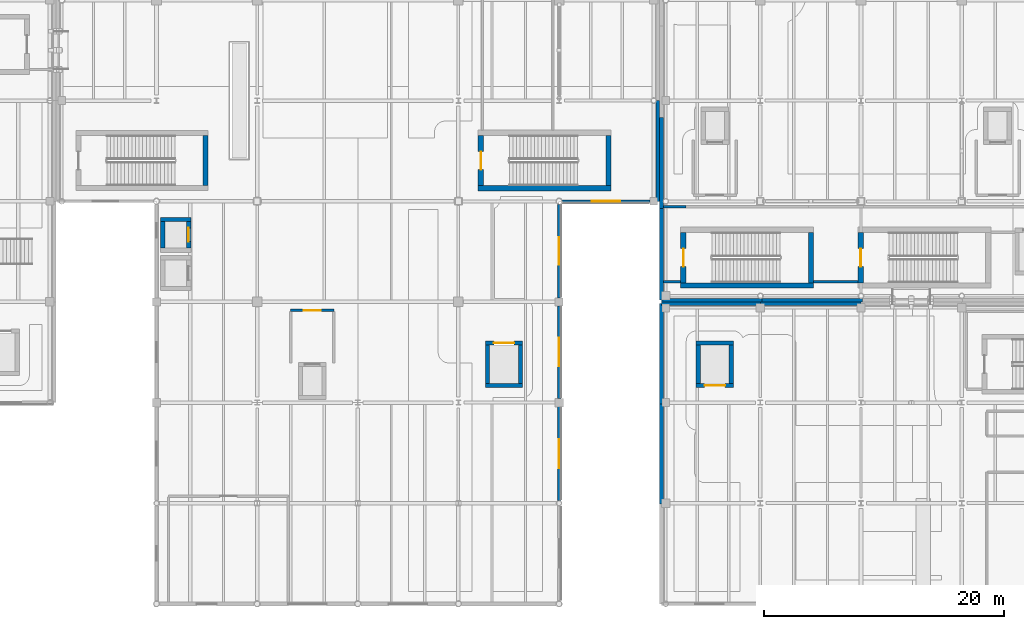
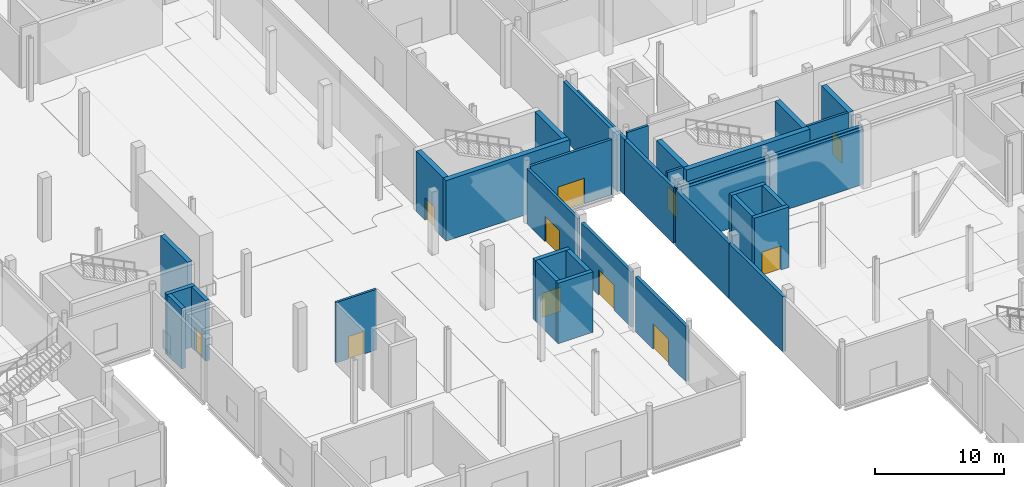
# One storey, part 46 of 85: 36 walls, 11 doors, 11 openings.
"""IFC4 building model written with IfcOpenShell, lengths in metres."""

from ifc_helpers import new_model, si_unit, direction, frame, frame_2d, origin, place, context, subcontext, project, spatial, rectangle, extrude, material, layer, layer_set, type_object, element, fill, save


model = new_model("IFC4")

# Units and contexts
model_context = context("Model", 3, precision=1e-05, world=origin(), true_north=direction((0.0, 1.0)))
body_context = subcontext(model_context, "Body", "Model", "MODEL_VIEW")
ifc_project = project(units=[si_unit("LENGTHUNIT", "METRE"), si_unit("AREAUNIT", "SQUARE_METRE"), si_unit("VOLUMEUNIT", "CUBIC_METRE"), si_unit("PLANEANGLEUNIT", "RADIAN"), si_unit("MASSUNIT", "GRAM", prefix="KILO"), si_unit("THERMODYNAMICTEMPERATUREUNIT", "KELVIN")], contexts=[model_context])

# Site, building, storey
site_placement = place(None, origin())
site = spatial("IfcSite", under=ifc_project, at=site_placement, CompositionType="ELEMENT")
building_placement = place(site_placement, origin())
building = spatial("IfcBuilding", under=site, at=building_placement, Name="Lustrewick Department Store", CompositionType="ELEMENT")
storey_placement = place(building_placement, origin())
storey = spatial("IfcBuildingStorey", under=building, at=storey_placement, Name="L01", CompositionType="ELEMENT", Elevation=0.0)

# Wall, opening, door
ifc_material_1 = material(Name="Precast concrete C40", Category="concrete")
ifc_layer_1 = layer(ifc_material_1, 0.239990234375, Name="Precast concrete C40")
ifc_layer_set_1 = layer_set([ifc_layer_1], Name="Precast concrete C40")
wall_type_1 = type_object("IfcWallType", Name="EW01", PredefinedType="STANDARD", material=ifc_layer_set_1)
wall_1_placement = place(storey_placement, frame((100.800048828125, 50.719970703125, 0.0), z_axis=(0.0, 0.0, 1.0), x_axis=(0.0, 1.0, 0.0)))
wall_1 = element("IfcWall", 1, at=wall_1_placement, inside=storey, type_object=wall_type_1, Name="L01 V2 Exterior Wall EW01", PredefinedType="STANDARD", context=body_context, shape_type="SweptSolid", body=[
    extrude(rectangle(XDim=7.8310546875, YDim=0.239990234375, at=frame_2d((3.91552734375, 0.0))), origin(), (0.0, 0.0, 1.0), 5.23095703125),
])
opening_1_placement = place(wall_1_placement, frame((2.765380859375, 0.0, 0.0)))
opening_1 = element("IfcOpeningElement", 2, at=opening_1_placement, cuts=wall_1, Name="Opening D-EX13", PredefinedType="OPENING", context=body_context, shape_type="SweptSolid", body=[
    extrude(rectangle(XDim=2.300048828125, YDim=2.39990234375, at=frame_2d((1.14990234375, 1.199951171875))), frame((0.0, 0.1298828125, 0.0), z_axis=(0.0, -1.0, 0.0), x_axis=(1.0, 0.0, 0.0)), (0.0, 0.0, 1.0), 0.260009765625),
])
ifc_material_2 = material(Name="Thermally broken glazed aluminium entrance door", Category="aluminium")
door_type_1 = type_object("IfcDoorType", Name="DT-01", OperationType="NOTDEFINED", PredefinedType="DOOR", material=ifc_material_2)
door_1_placement = place(opening_1_placement, frame((2.300048828125, 0.0, 0.0), z_axis=(0.0, 0.0, 1.0), x_axis=(-1.0, 0.0, 0.0)))
door_1 = element("IfcDoor", 3, at=door_1_placement, inside=storey, type_object=door_type_1, Name="L01 Pedestrian Final Exit Door D-EX13", OperationType="DOUBLE_DOOR_SINGLE_SWING", OverallHeight=2.39990234375, OverallWidth=2.300048828125, PredefinedType="DOOR", context=body_context, shape_type="SweptSolid", body=[
    extrude(rectangle(XDim=2.300048828125, YDim=2.39990234375, at=frame_2d((1.14990234375, 1.199951171875))), frame((0.0, 0.02490234375, 0.0), z_axis=(0.0, -1.0, 0.0), x_axis=(1.0, 0.0, 0.0)), (0.0, 0.0, 1.0), 0.050048828125),
])
fill(opening_1, door_1)

wall_2_placement = place(storey_placement, frame((101.049072265625, 58.800048828125, 0.0), z_axis=(0.0, 0.0, 1.0), x_axis=(1.0, 0.0, 0.0)))
wall_2 = element("IfcWall", 4, at=wall_2_placement, inside=storey, type_object=wall_type_1, Name="L01 V2 Exterior Wall EW01", PredefinedType="STANDARD", context=body_context, shape_type="SweptSolid", body=[
    extrude(rectangle(XDim=7.330810546875, YDim=0.239990234375, at=frame_2d((3.66552734375, 0.0))), origin(), (0.0, 0.0, 1.0), 5.23095703125),
])
opening_2_placement = place(wall_2_placement, frame((2.465576171875, 0.0, 0.0)))
opening_2 = element("IfcOpeningElement", 5, at=opening_2_placement, cuts=wall_2, Name="Opening D-EX16", PredefinedType="OPENING", context=body_context, shape_type="SweptSolid", body=[
    extrude(rectangle(XDim=2.39990234375, YDim=2.39990234375, at=frame_2d((1.199951171875, 1.199951171875))), frame((0.0, 0.1298828125, 0.0), z_axis=(0.0, -1.0, 0.0), x_axis=(1.0, 0.0, 0.0)), (0.0, 0.0, 1.0), 0.260009765625),
])
door_type_2 = type_object("IfcDoorType", Name="DT-02", OperationType="NOTDEFINED", PredefinedType="DOOR", material=ifc_material_2)
door_2_placement = place(opening_2_placement, frame((2.39990234375, 0.0, 0.0), z_axis=(0.0, 0.0, 1.0), x_axis=(-1.0, 0.0, 0.0)))
door_2 = element("IfcDoor", 6, at=door_2_placement, inside=storey, type_object=door_type_2, Name="L01 Pedestrian Final Exit Door D-EX16", OperationType="DOUBLE_DOOR_SINGLE_SWING", OverallHeight=2.39990234375, OverallWidth=2.39990234375, PredefinedType="DOOR", context=body_context, shape_type="SweptSolid", body=[
    extrude(rectangle(XDim=2.39990234375, YDim=2.39990234375, at=frame_2d((1.199951171875, 1.199951171875))), frame((0.0, 0.02490234375, 0.0), z_axis=(0.0, -1.0, 0.0), x_axis=(1.0, 0.0, 0.0)), (0.0, 0.0, 1.0), 0.050048828125),
])
fill(opening_2, door_2)

ifc_layer_2 = layer(ifc_material_1, 0.280029296875, Name="Precast concrete C40")
ifc_layer_set_2 = layer_set([ifc_layer_2], Name="Precast concrete C40")
wall_type_2 = type_object("IfcWallType", Name="EW03", PredefinedType="STANDARD", material=ifc_layer_set_2)
wall_3_placement = place(storey_placement, frame((100.800048828125, 33.823486328125, 0.0), z_axis=(0.0, 0.0, 1.0), x_axis=(0.0, 1.0, 0.0)))
wall_3 = element("IfcWall", 7, at=wall_3_placement, inside=storey, type_object=wall_type_2, Name="L01 V2 Exterior Wall EW03", PredefinedType="STANDARD", context=body_context, shape_type="SweptSolid", body=[
    extrude(rectangle(XDim=7.83154296875, YDim=0.280029296875, at=frame_2d((3.915771484375, 0.0))), origin(), (0.0, 0.0, 1.0), 5.23095703125),
])
opening_3_placement = place(wall_3_placement, frame((2.7158203125, 0.0, 0.0)))
opening_3 = element("IfcOpeningElement", 8, at=opening_3_placement, cuts=wall_3, Name="Opening D-EX06", PredefinedType="OPENING", context=body_context, shape_type="SweptSolid", body=[
    extrude(rectangle(XDim=2.39990234375, YDim=2.39990234375, at=frame_2d((1.199951171875, 1.199951171875))), frame((0.0, 0.14990234375, 0.0), z_axis=(0.0, -1.0, 0.0), x_axis=(1.0, 0.0, 0.0)), (0.0, 0.0, 1.0), 0.300048828125),
])
door_3_placement = place(opening_3_placement, frame((2.39990234375, 0.0, 0.0), z_axis=(0.0, 0.0, 1.0), x_axis=(-1.0, 0.0, 0.0)))
door_3 = element("IfcDoor", 9, at=door_3_placement, inside=storey, type_object=door_type_2, Name="L01 Pedestrian Final Exit Door D-EX06", OperationType="DOUBLE_DOOR_SINGLE_SWING", OverallHeight=2.39990234375, OverallWidth=2.39990234375, PredefinedType="DOOR", context=body_context, shape_type="SweptSolid", body=[
    extrude(rectangle(XDim=2.39990234375, YDim=2.39990234375, at=frame_2d((1.199951171875, 1.199951171875))), frame((0.0, 0.02490234375, 0.0), z_axis=(0.0, -1.0, 0.0), x_axis=(1.0, 0.0, 0.0)), (0.0, 0.0, 1.0), 0.050048828125),
])
fill(opening_3, door_3)

wall_4_placement = place(storey_placement, frame((100.800048828125, 42.344970703125, 0.0), z_axis=(0.0, 0.0, 1.0), x_axis=(0.0, 1.0, 0.0)))
wall_4 = element("IfcWall", 10, at=wall_4_placement, inside=storey, type_object=wall_type_2, Name="L01 V2 Exterior Wall EW03", PredefinedType="STANDARD", context=body_context, shape_type="SweptSolid", body=[
    extrude(rectangle(XDim=7.735107421875, YDim=0.280029296875, at=frame_2d((3.86767578125, 0.0))), origin(), (0.0, 0.0, 1.0), 5.23095703125),
])
opening_4_placement = place(wall_4_placement, frame((2.66748046875, 0.0, 0.0)))
opening_4 = element("IfcOpeningElement", 11, at=opening_4_placement, cuts=wall_4, Name="Opening D-EX10", PredefinedType="OPENING", context=body_context, shape_type="SweptSolid", body=[
    extrude(rectangle(XDim=2.39990234375, YDim=2.39990234375, at=frame_2d((1.199951171875, 1.199951171875))), frame((0.0, 0.14990234375, 0.0), z_axis=(0.0, -1.0, 0.0), x_axis=(1.0, 0.0, 0.0)), (0.0, 0.0, 1.0), 0.300048828125),
])
door_4_placement = place(opening_4_placement, frame((2.39990234375, 0.0, 0.0), z_axis=(0.0, 0.0, 1.0), x_axis=(-1.0, 0.0, 0.0)))
door_4 = element("IfcDoor", 12, at=door_4_placement, inside=storey, type_object=door_type_2, Name="L01 Pedestrian Final Exit Door D-EX10", OperationType="DOUBLE_DOOR_SINGLE_SWING", OverallHeight=2.39990234375, OverallWidth=2.39990234375, PredefinedType="DOOR", context=body_context, shape_type="SweptSolid", body=[
    extrude(rectangle(XDim=2.39990234375, YDim=2.39990234375, at=frame_2d((1.199951171875, 1.199951171875))), frame((0.0, 0.02490234375, 0.0), z_axis=(0.0, -1.0, 0.0), x_axis=(1.0, 0.0, 0.0)), (0.0, 0.0, 1.0), 0.050048828125),
])
fill(opening_4, door_4)

# Walls
ifc_layer_3 = layer(ifc_material_1, 0.300048828125, Name="Precast concrete C40")
ifc_layer_set_3 = layer_set([ifc_layer_3], Name="Precast concrete C40")
wall_type_3 = type_object("IfcWallType", Name="EW04", PredefinedType="STANDARD", material=ifc_layer_set_3)
wall_5_placement = place(storey_placement, frame((109.050048828125, 58.800048828125, 0.0), z_axis=(0.0, 0.0, 1.0), x_axis=(0.0, 1.0, 0.0)))
element("IfcWall", 13, at=wall_5_placement, inside=storey, type_object=wall_type_3, Name="L01 V2 Exterior Wall EW04", PredefinedType="STANDARD", context=body_context, shape_type="SweptSolid", body=[
    extrude(rectangle(XDim=8.39990234375, YDim=0.300048828125, at=frame_2d((4.199951171875, 0.0))), origin(), (0.0, 0.0, 1.0), 5.386962890625),
])
wall_6_placement = place(storey_placement, frame((126.0, 50.25, 0.0), z_axis=(0.0, 0.0, 1.0), x_axis=(-1.0, 0.0, 0.0)))
element("IfcWall", 14, at=wall_6_placement, inside=storey, type_object=wall_type_3, Name="L01 V3 Exterior Wall EW04", PredefinedType="STANDARD", context=body_context, shape_type="SweptSolid", body=[
    extrude(rectangle(XDim=8.39990234375, YDim=0.300048828125, at=frame_2d((4.199951171875, 0.0))), origin(), (0.0, 0.0, 1.0), 5.23095703125),
])
wall_7_placement = place(storey_placement, frame((117.60009765625, 50.25, 0.0), z_axis=(0.0, 0.0, 1.0), x_axis=(-1.0, 0.0, 0.0)))
element("IfcWall", 15, at=wall_7_placement, inside=storey, type_object=wall_type_3, Name="L01 V3 Exterior Wall EW04", PredefinedType="STANDARD", context=body_context, shape_type="SweptSolid", body=[
    extrude(rectangle(XDim=8.25, YDim=0.300048828125, at=frame_2d((4.125, 0.0))), origin(), (0.0, 0.0, 1.0), 5.23095703125),
])
wall_8_placement = place(storey_placement, frame((109.35009765625, 50.25, 0.0), z_axis=(0.0, 0.0, 1.0), x_axis=(0.0, -1.0, 0.0)))
element("IfcWall", 16, at=wall_8_placement, inside=storey, type_object=wall_type_3, Name="L01 V3 Exterior Wall EW04", PredefinedType="STANDARD", context=body_context, shape_type="SweptSolid", body=[
    extrude(rectangle(XDim=8.35009765625, YDim=0.300048828125, at=frame_2d((4.175048828125, 0.0))), origin(), (0.0, 0.0, 1.0), 5.23095703125),
])
wall_9_placement = place(storey_placement, frame((109.35009765625, 41.89990234375, 0.0), z_axis=(0.0, 0.0, 1.0), x_axis=(0.0, -1.0, 0.0)))
element("IfcWall", 17, at=wall_9_placement, inside=storey, type_object=wall_type_3, Name="L01 V3 Exterior Wall EW04", PredefinedType="STANDARD", context=body_context, shape_type="SweptSolid", body=[
    extrude(rectangle(XDim=8.349853515625, YDim=0.300048828125, at=frame_2d((4.1748046875, 0.0))), origin(), (0.0, 0.0, 1.0), 5.23095703125),
])
wall_10_placement = place(storey_placement, frame((109.35009765625, 50.550048828125, 0.0), z_axis=(0.0, 0.0, 1.0), x_axis=(1.0, 0.0, 0.0)))
element("IfcWall", 18, at=wall_10_placement, inside=storey, type_object=wall_type_3, Name="L01 V4 Exterior Wall EW04", PredefinedType="STANDARD", context=body_context, shape_type="SweptSolid", body=[
    extrude(rectangle(XDim=8.37841796875, YDim=0.300048828125, at=frame_2d((4.189208984375, 0.0))), origin(), (0.0, 0.0, 1.0), 5.297119140625),
])
wall_11_placement = place(storey_placement, frame((117.728515625, 50.550048828125, 0.0), z_axis=(0.0, 0.0, 1.0), x_axis=(1.0, 0.0, 0.0)))
element("IfcWall", 19, at=wall_11_placement, inside=storey, type_object=wall_type_3, Name="L01 V4 Exterior Wall EW04", PredefinedType="STANDARD", context=body_context, shape_type="SweptSolid", body=[
    extrude(rectangle(XDim=8.378662109375, YDim=0.300048828125, at=frame_2d((4.189453125, 0.0))), origin(), (0.0, 0.0, 1.0), 5.297119140625),
])
wall_12_placement = place(storey_placement, frame((109.35009765625, 65.8125, 0.0), z_axis=(0.0, 0.0, 1.0), x_axis=(0.0, -1.0, 0.0)))
element("IfcWall", 20, at=wall_12_placement, inside=storey, type_object=wall_type_3, Name="L01 V4 Exterior Wall EW04", PredefinedType="STANDARD", context=body_context, shape_type="SweptSolid", body=[
    extrude(rectangle(XDim=7.63134765625, YDim=0.300048828125, at=frame_2d((3.815673828125, 0.0))), origin(), (0.0, 0.0, 1.0), 5.23095703125),
])
wall_13_placement = place(storey_placement, frame((109.35009765625, 58.18115234375, 0.0), z_axis=(0.0, 0.0, 1.0), x_axis=(0.0, -1.0, 0.0)))
element("IfcWall", 21, at=wall_13_placement, inside=storey, type_object=wall_type_3, Name="L01 V4 Exterior Wall EW04", PredefinedType="STANDARD", context=body_context, shape_type="SweptSolid", body=[
    extrude(rectangle(XDim=7.631103515625, YDim=0.300048828125, at=frame_2d((3.8154296875, 0.0))), origin(), (0.0, 0.0, 1.0), 5.23095703125),
])

# Wall, opening, door
ifc_material_3 = material(Name="Autoclaved aerated concrete blockwork and fire board", Category="masonry")
ifc_layer_4 = layer(ifc_material_3, 0.205078125, Name="Autoclaved aerated concrete blockwork and fire board")
ifc_layer_set_4 = layer_set([ifc_layer_4], Name="Autoclaved aerated concrete blockwork and fire board")
wall_type_4 = type_object("IfcWallType", Name="PW02", PredefinedType="PARTITIONING", material=ifc_layer_set_4)
wall_14_placement = place(storey_placement, frame((82.0, 49.699951171875, 0.0), z_axis=(0.0, 0.0, 1.0), x_axis=(-1.0, 0.0, 0.0)))
wall_14 = element("IfcWall", 22, at=wall_14_placement, inside=storey, type_object=wall_type_4, Name="L01 Firefighting Lift Lobby FFL-02 PW02", PredefinedType="PARTITIONING", context=body_context, shape_type="SweptSolid", body=[
    extrude(rectangle(XDim=3.60009765625, YDim=0.205078125, at=frame_2d((1.800048828125, 0.0))), origin(), (0.0, 0.0, 1.0), 5.7451171875),
])
opening_5_placement = place(wall_14_placement, frame((1.10009765625, 0.0, 0.0)))
opening_5 = element("IfcOpeningElement", 23, at=opening_5_placement, cuts=wall_14, Name="Opening D-L01-049", PredefinedType="OPENING", context=body_context, shape_type="SweptSolid", body=[
    extrude(rectangle(XDim=1.39990234375, YDim=2.14990234375, at=frame_2d((0.699951171875, 1.074951171875))), frame((0.0, 0.112548828125, 0.0), z_axis=(0.0, -1.0, 0.0), x_axis=(1.0, 0.0, 0.0)), (0.0, 0.0, 1.0), 0.22509765625),
])
ifc_material_4 = material(Name="Steel fire door Class B EI 60", Category="steel")
door_type_3 = type_object("IfcDoorType", Name="DT-08", OperationType="NOTDEFINED", PredefinedType="DOOR", material=ifc_material_4)
door_5_placement = place(opening_5_placement, origin())
door_5 = element("IfcDoor", 24, at=door_5_placement, inside=storey, type_object=door_type_3, Name="L01 Firefighting Lift Lobby FFL-02 Door D-L01-049", OperationType="SINGLE_SWING_RIGHT", OverallHeight=2.14990234375, OverallWidth=1.39990234375, PredefinedType="DOOR", context=body_context, shape_type="SweptSolid", body=[
    extrude(rectangle(XDim=1.39990234375, YDim=2.14990234375, at=frame_2d((0.699951171875, 1.074951171875))), frame((0.0, 0.02490234375, 0.0), z_axis=(0.0, -1.0, 0.0), x_axis=(1.0, 0.0, 0.0)), (0.0, 0.0, 1.0), 0.050048828125),
])
fill(opening_5, door_5)

# Walls
wall_15_placement = place(storey_placement, frame((111.39990234375, 58.35009765625, 0.0), z_axis=(0.0, 0.0, 1.0), x_axis=(-1.0, 0.0, 0.0)))
element("IfcWall", 25, at=wall_15_placement, inside=storey, type_object=wall_type_4, Name="L01 Protected Exit Passageway ST09-ST11 PW02", PredefinedType="PARTITIONING", context=body_context, shape_type="SweptSolid", body=[
    extrude(rectangle(XDim=1.90478515625, YDim=0.205078125, at=frame_2d((0.952392578125, 0.0))), origin(), (0.0, 0.0, 1.0), 5.7451171875),
])
wall_16_placement = place(storey_placement, frame((109.4951171875, 52.10009765625, 0.0), z_axis=(0.0, 0.0, 1.0), x_axis=(1.0, 0.0, 0.0)))
element("IfcWall", 26, at=wall_16_placement, inside=storey, type_object=wall_type_4, Name="L01 Protected Exit Passageway ST09-ST11 PW02", PredefinedType="PARTITIONING", context=body_context, shape_type="SweptSolid", body=[
    extrude(rectangle(XDim=1.454833984375, YDim=0.205078125, at=frame_2d((0.7275390625, 0.0))), origin(), (0.0, 0.0, 1.0), 5.7451171875),
])
wall_17_placement = place(storey_placement, frame((122.050048828125, 52.10009765625, 0.0), z_axis=(0.0, 0.0, 1.0), x_axis=(1.0, 0.0, 0.0)))
element("IfcWall", 27, at=wall_17_placement, inside=storey, type_object=wall_type_4, Name="L01 Protected Exit Passageway ST09-ST11 PW02", PredefinedType="PARTITIONING", context=body_context, shape_type="SweptSolid", body=[
    extrude(rectangle(XDim=3.699951171875, YDim=0.205078125, at=frame_2d((1.85009765625, 0.0))), origin(), (0.0, 0.0, 1.0), 5.7451171875),
])
ifc_material_5 = material(Name="Concrete C50", Category="concrete")
ifc_layer_5 = layer(ifc_material_5, 0.449951171875, Name="Concrete C50")
ifc_layer_set_5 = layer_set([ifc_layer_5], Name="Concrete C50")
wall_type_5 = type_object("IfcWallType", Name="SW01", PredefinedType="SHEAR", material=ifc_layer_set_5)
wall_18_placement = place(storey_placement, frame((94.050048828125, 59.875, 0.0), z_axis=(0.0, 0.0, 1.0), x_axis=(1.0, 0.0, 0.0)))
element("IfcWall", 28, at=wall_18_placement, inside=storey, type_object=wall_type_5, Name="L01 Stair Core ST05 Shear Wall S", PredefinedType="SHEAR", context=body_context, shape_type="SweptSolid", body=[
    extrude(rectangle(XDim=11.099853515625, YDim=0.449951171875, at=frame_2d((5.5498046875, 0.0))), origin(), (0.0, 0.0, 1.0), 5.7451171875),
])
wall_19_placement = place(storey_placement, frame((104.925048828125, 60.10009765625, 0.0), z_axis=(0.0, 0.0, 1.0), x_axis=(0.0, 1.0, 0.0)))
element("IfcWall", 29, at=wall_19_placement, inside=storey, type_object=wall_type_5, Name="L01 Stair Core ST05 Shear Wall E", PredefinedType="SHEAR", context=body_context, shape_type="SweptSolid", body=[
    extrude(rectangle(XDim=4.199951171875, YDim=0.449951171875, at=frame_2d((2.10009765625, 0.0))), origin(), (0.0, 0.0, 1.0), 5.7451171875),
])

# Wall, opening, door
wall_20_placement = place(storey_placement, frame((94.27490234375, 64.300048828125, 0.0), z_axis=(0.0, 0.0, 1.0), x_axis=(0.0, -1.0, 0.0)))
wall_20 = element("IfcWall", 30, at=wall_20_placement, inside=storey, type_object=wall_type_5, Name="L01 Stair Core ST05 Shear Wall W", PredefinedType="SHEAR", context=body_context, shape_type="SweptSolid", body=[
    extrude(rectangle(XDim=4.199951171875, YDim=0.449951171875, at=frame_2d((2.10009765625, 0.0))), origin(), (0.0, 0.0, 1.0), 5.7451171875),
])
opening_6_placement = place(wall_20_placement, frame((1.35009765625, 0.0, 0.0)))
opening_6 = element("IfcOpeningElement", 31, at=opening_6_placement, cuts=wall_20, Name="Opening D-L01-005", PredefinedType="OPENING", context=body_context, shape_type="SweptSolid", body=[
    extrude(rectangle(XDim=1.5, YDim=2.14990234375, at=frame_2d((0.75, 1.074951171875))), frame((0.0, 0.23486328125, 0.0), z_axis=(0.0, -1.0, 0.0), x_axis=(1.0, 0.0, 0.0)), (0.0, 0.0, 1.0), 0.469970703125),
])
door_type_4 = type_object("IfcDoorType", Name="DT-07", OperationType="NOTDEFINED", PredefinedType="DOOR", material=ifc_material_4)
door_6_placement = place(opening_6_placement, frame((1.5, 0.0, 0.0), z_axis=(0.0, 0.0, 1.0), x_axis=(-1.0, 0.0, 0.0)))
door_6 = element("IfcDoor", 32, at=door_6_placement, inside=storey, type_object=door_type_4, Name="L01 Smoke-Proof Stair ST05 Fire Door", OperationType="SINGLE_SWING_LEFT", OverallHeight=2.14990234375, OverallWidth=1.5, PredefinedType="DOOR", context=body_context, shape_type="SweptSolid", body=[
    extrude(rectangle(XDim=1.5, YDim=2.14990234375, at=frame_2d((0.75, 1.074951171875))), frame((0.0, 0.02490234375, 0.0), z_axis=(0.0, -1.0, 0.0), x_axis=(1.0, 0.0, 0.0)), (0.0, 0.0, 1.0), 0.050048828125),
])
fill(opening_6, door_6)

# Walls
wall_21_placement = place(storey_placement, frame((110.949951171875, 51.77490234375, 0.0), z_axis=(0.0, 0.0, 1.0), x_axis=(1.0, 0.0, 0.0)))
element("IfcWall", 33, at=wall_21_placement, inside=storey, type_object=wall_type_5, Name="L01 Stair Core ST09 Shear Wall S", PredefinedType="SHEAR", context=body_context, shape_type="SweptSolid", body=[
    extrude(rectangle(XDim=11.10009765625, YDim=0.449951171875, at=frame_2d((5.550048828125, 0.0))), origin(), (0.0, 0.0, 1.0), 5.7451171875),
])
wall_22_placement = place(storey_placement, frame((121.824951171875, 52.0, 0.0), z_axis=(0.0, 0.0, 1.0), x_axis=(0.0, 1.0, 0.0)))
element("IfcWall", 34, at=wall_22_placement, inside=storey, type_object=wall_type_5, Name="L01 Stair Core ST09 Shear Wall E", PredefinedType="SHEAR", context=body_context, shape_type="SweptSolid", body=[
    extrude(rectangle(XDim=4.199951171875, YDim=0.449951171875, at=frame_2d((2.10009765625, 0.0))), origin(), (0.0, 0.0, 1.0), 5.7451171875),
])

# Wall, opening, door
wall_23_placement = place(storey_placement, frame((111.175048828125, 56.199951171875, 0.0), z_axis=(0.0, 0.0, 1.0), x_axis=(0.0, -1.0, 0.0)))
wall_23 = element("IfcWall", 35, at=wall_23_placement, inside=storey, type_object=wall_type_5, Name="L01 Stair Core ST09 Shear Wall W", PredefinedType="SHEAR", context=body_context, shape_type="SweptSolid", body=[
    extrude(rectangle(XDim=4.199951171875, YDim=0.449951171875, at=frame_2d((2.10009765625, 0.0))), origin(), (0.0, 0.0, 1.0), 5.7451171875),
])
opening_7_placement = place(wall_23_placement, frame((1.35009765625, 0.0, 0.0)))
opening_7 = element("IfcOpeningElement", 36, at=opening_7_placement, cuts=wall_23, Name="Opening D-L01-009", PredefinedType="OPENING", context=body_context, shape_type="SweptSolid", body=[
    extrude(rectangle(XDim=1.5, YDim=2.14990234375, at=frame_2d((0.75, 1.074951171875))), frame((0.0, 0.23486328125, 0.0), z_axis=(0.0, -1.0, 0.0), x_axis=(1.0, 0.0, 0.0)), (0.0, 0.0, 1.0), 0.469970703125),
])
door_7_placement = place(opening_7_placement, frame((1.5, 0.0, 0.0), z_axis=(0.0, 0.0, 1.0), x_axis=(-1.0, 0.0, 0.0)))
door_7 = element("IfcDoor", 37, at=door_7_placement, inside=storey, type_object=door_type_4, Name="L01 Smoke-Proof Stair ST09 Fire Door", OperationType="SINGLE_SWING_LEFT", OverallHeight=2.14990234375, OverallWidth=1.5, PredefinedType="DOOR", context=body_context, shape_type="SweptSolid", body=[
    extrude(rectangle(XDim=1.5, YDim=2.14990234375, at=frame_2d((0.75, 1.074951171875))), frame((0.0, 0.02490234375, 0.0), z_axis=(0.0, -1.0, 0.0), x_axis=(1.0, 0.0, 0.0)), (0.0, 0.0, 1.0), 0.050048828125),
])
fill(opening_7, door_7)

wall_24_placement = place(storey_placement, frame((125.97509765625, 56.199951171875, 0.0), z_axis=(0.0, 0.0, 1.0), x_axis=(0.0, -1.0, 0.0)))
wall_24 = element("IfcWall", 38, at=wall_24_placement, inside=storey, type_object=wall_type_5, Name="L01 Stair Core ST11 Shear Wall W", PredefinedType="SHEAR", context=body_context, shape_type="SweptSolid", body=[
    extrude(rectangle(XDim=4.199951171875, YDim=0.449951171875, at=frame_2d((2.10009765625, 0.0))), origin(), (0.0, 0.0, 1.0), 5.7451171875),
])
opening_8_placement = place(wall_24_placement, frame((1.35009765625, 0.0, 0.0)))
opening_8 = element("IfcOpeningElement", 39, at=opening_8_placement, cuts=wall_24, Name="Opening D-L01-011", PredefinedType="OPENING", context=body_context, shape_type="SweptSolid", body=[
    extrude(rectangle(XDim=1.5, YDim=2.14990234375, at=frame_2d((0.75, 1.074951171875))), frame((0.0, 0.23486328125, 0.0), z_axis=(0.0, -1.0, 0.0), x_axis=(1.0, 0.0, 0.0)), (0.0, 0.0, 1.0), 0.469970703125),
])
door_8_placement = place(opening_8_placement, frame((1.5, 0.0, 0.0), z_axis=(0.0, 0.0, 1.0), x_axis=(-1.0, 0.0, 0.0)))
door_8 = element("IfcDoor", 40, at=door_8_placement, inside=storey, type_object=door_type_4, Name="L01 Smoke-Proof Stair ST11 Fire Door", OperationType="SINGLE_SWING_LEFT", OverallHeight=2.14990234375, OverallWidth=1.5, PredefinedType="DOOR", context=body_context, shape_type="SweptSolid", body=[
    extrude(rectangle(XDim=1.5, YDim=2.14990234375, at=frame_2d((0.75, 1.074951171875))), frame((0.0, 0.02490234375, 0.0), z_axis=(0.0, -1.0, 0.0), x_axis=(1.0, 0.0, 0.0)), (0.0, 0.0, 1.0), 0.050048828125),
])
fill(opening_8, door_8)

# Wall
ifc_layer_6 = layer(ifc_material_5, 0.39990234375, Name="Concrete C50")
ifc_layer_set_6 = layer_set([ifc_layer_6], Name="Concrete C50")
wall_type_6 = type_object("IfcWallType", Name="SW02", PredefinedType="SHEAR", material=ifc_layer_set_6)
wall_25_placement = place(storey_placement, frame((71.300048828125, 60.10009765625, 0.0), z_axis=(0.0, 0.0, 1.0), x_axis=(0.0, 1.0, 0.0)))
element("IfcWall", 41, at=wall_25_placement, inside=storey, type_object=wall_type_6, Name="L01 Stair Core ST04 Shear Wall E", PredefinedType="SHEAR", context=body_context, shape_type="SweptSolid", body=[
    extrude(rectangle(XDim=4.199951171875, YDim=0.39990234375, at=frame_2d((2.10009765625, 0.0))), origin(), (0.0, 0.0, 1.0), 5.7451171875),
])

# Wall, opening, door
ifc_material_6 = material(Name="Concrete C40", Category="concrete")
ifc_layer_7 = layer(ifc_material_6, 0.360107421875, Name="Concrete C40")
ifc_layer_set_7 = layer_set([ifc_layer_7], Name="Concrete C40")
wall_type_7 = type_object("IfcWallType", Name="SW04", PredefinedType="SHEAR", material=ifc_layer_set_7)
wall_26_placement = place(storey_placement, frame((69.8798828125, 54.89990234375, 0.0), z_axis=(0.0, 0.0, 1.0), x_axis=(0.0, 1.0, 0.0)))
wall_26 = element("IfcWall", 42, at=wall_26_placement, inside=storey, type_object=wall_type_7, Name="L01 Lift PL-04 Shaft Wall +X", PredefinedType="SHEAR", context=body_context, shape_type="SweptSolid", body=[
    extrude(rectangle(XDim=2.2001953125, YDim=0.360107421875, at=frame_2d((1.10009765625, 0.0))), origin(), (0.0, 0.0, 1.0), 5.7451171875),
])
opening_9_placement = place(wall_26_placement, frame((0.52490234375, 0.0, 0.0)))
opening_9 = element("IfcOpeningElement", 43, at=opening_9_placement, cuts=wall_26, Name="Opening LD-L01-08", PredefinedType="OPENING", context=body_context, shape_type="SweptSolid", body=[
    extrude(rectangle(XDim=1.14990234375, YDim=2.199951171875, at=frame_2d((0.574951171875, 1.10009765625))), frame((0.0, 0.18994140625, 0.0), z_axis=(0.0, -1.0, 0.0), x_axis=(1.0, 0.0, 0.0)), (0.0, 0.0, 1.0), 0.380126953125),
])
ifc_material_7 = material(Name="Brushed bronze passenger lift landing door EI 60", Category="steel")
door_type_5 = type_object("IfcDoorType", Name="DT-16", OperationType="NOTDEFINED", PredefinedType="DOOR", material=ifc_material_7)
door_9_placement = place(opening_9_placement, frame((1.14990234375, 0.0, 0.0), z_axis=(0.0, 0.0, 1.0), x_axis=(-1.0, 0.0, 0.0)))
door_9 = element("IfcDoor", 44, at=door_9_placement, inside=storey, type_object=door_type_5, Name="L01 Lift PL-04 Sliding Landing Door LD-L01-08", OperationType="DOUBLE_DOOR_SLIDING", OverallHeight=2.199951171875, OverallWidth=1.14990234375, PredefinedType="DOOR", context=body_context, shape_type="SweptSolid", body=[
    extrude(rectangle(XDim=1.14990234375, YDim=2.199951171875, at=frame_2d((0.574951171875, 1.10009765625))), frame((0.0, 0.02490234375, 0.0), z_axis=(0.0, -1.0, 0.0), x_axis=(1.0, 0.0, 0.0)), (0.0, 0.0, 1.0), 0.050048828125),
])
fill(opening_9, door_9)

# Walls
wall_27_placement = place(storey_placement, frame((70.06005859375, 57.280029296875, 0.0), z_axis=(0.0, 0.0, 1.0), x_axis=(-1.0, 0.0, 0.0)))
element("IfcWall", 45, at=wall_27_placement, inside=storey, type_object=wall_type_7, Name="L01 Lift PL-04 Shaft Wall +Y", PredefinedType="SHEAR", context=body_context, shape_type="SweptSolid", body=[
    extrude(rectangle(XDim=2.52001953125, YDim=0.360107421875, at=frame_2d((1.260009765625, 0.0))), origin(), (0.0, 0.0, 1.0), 5.7451171875),
])
wall_28_placement = place(storey_placement, frame((67.719970703125, 57.10009765625, 0.0), z_axis=(0.0, 0.0, 1.0), x_axis=(0.0, -1.0, 0.0)))
element("IfcWall", 46, at=wall_28_placement, inside=storey, type_object=wall_type_7, Name="L01 Lift PL-04 Shaft Wall -X", PredefinedType="SHEAR", context=body_context, shape_type="SweptSolid", body=[
    extrude(rectangle(XDim=2.2001953125, YDim=0.360107421875, at=frame_2d((1.10009765625, 0.0))), origin(), (0.0, 0.0, 1.0), 5.7451171875),
])
wall_29_placement = place(storey_placement, frame((94.639892578125, 43.419921875, 0.0), z_axis=(0.0, 0.0, 1.0), x_axis=(1.0, 0.0, 0.0)))
element("IfcWall", 47, at=wall_29_placement, inside=storey, type_object=wall_type_7, Name="L01 Lift GL-02 Shaft Wall -Y", PredefinedType="SHEAR", context=body_context, shape_type="SweptSolid", body=[
    extrude(rectangle(XDim=3.1201171875, YDim=0.360107421875, at=frame_2d((1.56005859375, 0.0))), origin(), (0.0, 0.0, 1.0), 5.7451171875),
])
wall_30_placement = place(storey_placement, frame((97.580078125, 43.60009765625, 0.0), z_axis=(0.0, 0.0, 1.0), x_axis=(0.0, 1.0, 0.0)))
element("IfcWall", 48, at=wall_30_placement, inside=storey, type_object=wall_type_7, Name="L01 Lift GL-02 Shaft Wall +X", PredefinedType="SHEAR", context=body_context, shape_type="SweptSolid", body=[
    extrude(rectangle(XDim=3.199951171875, YDim=0.360107421875, at=frame_2d((1.60009765625, 0.0))), origin(), (0.0, 0.0, 1.0), 5.7451171875),
])

# Wall, opening, door
wall_31_placement = place(storey_placement, frame((97.760009765625, 46.97998046875, 0.0), z_axis=(0.0, 0.0, 1.0), x_axis=(-1.0, 0.0, 0.0)))
wall_31 = element("IfcWall", 49, at=wall_31_placement, inside=storey, type_object=wall_type_7, Name="L01 Lift GL-02 Shaft Wall +Y", PredefinedType="SHEAR", context=body_context, shape_type="SweptSolid", body=[
    extrude(rectangle(XDim=3.1201171875, YDim=0.360107421875, at=frame_2d((1.56005859375, 0.0))), origin(), (0.0, 0.0, 1.0), 5.7451171875),
])
opening_10_placement = place(wall_31_placement, frame((0.7099609375, 0.0, 0.0)))
opening_10 = element("IfcOpeningElement", 50, at=opening_10_placement, cuts=wall_31, Name="Opening LD-L01-14", PredefinedType="OPENING", context=body_context, shape_type="SweptSolid", body=[
    extrude(rectangle(XDim=1.699951171875, YDim=2.300048828125, at=frame_2d((0.85009765625, 1.14990234375))), frame((0.0, 0.18994140625, 0.0), z_axis=(0.0, -1.0, 0.0), x_axis=(1.0, 0.0, 0.0)), (0.0, 0.0, 1.0), 0.380126953125),
])
ifc_material_8 = material(Name="Heavy-duty stainless goods lift landing door EI 90", Category="steel")
door_type_6 = type_object("IfcDoorType", Name="DT-17", OperationType="NOTDEFINED", PredefinedType="DOOR", material=ifc_material_8)
door_10_placement = place(opening_10_placement, frame((1.699951171875, 0.0, 0.0), z_axis=(0.0, 0.0, 1.0), x_axis=(-1.0, 0.0, 0.0)))
door_10 = element("IfcDoor", 51, at=door_10_placement, inside=storey, type_object=door_type_6, Name="L01 Lift GL-02 Sliding Landing Door LD-L01-14", OperationType="DOUBLE_DOOR_SLIDING", OverallHeight=2.300048828125, OverallWidth=1.699951171875, PredefinedType="DOOR", context=body_context, shape_type="SweptSolid", body=[
    extrude(rectangle(XDim=1.699951171875, YDim=2.300048828125, at=frame_2d((0.85009765625, 1.14990234375))), frame((0.0, 0.02490234375, 0.0), z_axis=(0.0, -1.0, 0.0), x_axis=(1.0, 0.0, 0.0)), (0.0, 0.0, 1.0), 0.050048828125),
])
fill(opening_10, door_10)

# Wall
wall_32_placement = place(storey_placement, frame((94.820068359375, 46.800048828125, 0.0), z_axis=(0.0, 0.0, 1.0), x_axis=(0.0, -1.0, 0.0)))
element("IfcWall", 52, at=wall_32_placement, inside=storey, type_object=wall_type_7, Name="L01 Lift GL-02 Shaft Wall -X", PredefinedType="SHEAR", context=body_context, shape_type="SweptSolid", body=[
    extrude(rectangle(XDim=3.199951171875, YDim=0.360107421875, at=frame_2d((1.60009765625, 0.0))), origin(), (0.0, 0.0, 1.0), 5.7451171875),
])

# Wall, opening, door
wall_33_placement = place(storey_placement, frame((112.239990234375, 43.419921875, 0.0), z_axis=(0.0, 0.0, 1.0), x_axis=(1.0, 0.0, 0.0)))
wall_33 = element("IfcWall", 53, at=wall_33_placement, inside=storey, type_object=wall_type_7, Name="L01 Lift GL-03 Shaft Wall -Y", PredefinedType="SHEAR", context=body_context, shape_type="SweptSolid", body=[
    extrude(rectangle(XDim=3.1201171875, YDim=0.360107421875, at=frame_2d((1.56005859375, 0.0))), origin(), (0.0, 0.0, 1.0), 5.7451171875),
])
opening_11_placement = place(wall_33_placement, frame((0.7099609375, 0.0, 0.0)))
opening_11 = element("IfcOpeningElement", 54, at=opening_11_placement, cuts=wall_33, Name="Opening LD-L01-15", PredefinedType="OPENING", context=body_context, shape_type="SweptSolid", body=[
    extrude(rectangle(XDim=1.699951171875, YDim=2.300048828125, at=frame_2d((0.85009765625, 1.14990234375))), frame((0.0, 0.18994140625, 0.0), z_axis=(0.0, -1.0, 0.0), x_axis=(1.0, 0.0, 0.0)), (0.0, 0.0, 1.0), 0.380126953125),
])
door_11_placement = place(opening_11_placement, frame((1.699951171875, 0.0, 0.0), z_axis=(0.0, 0.0, 1.0), x_axis=(-1.0, 0.0, 0.0)))
door_11 = element("IfcDoor", 55, at=door_11_placement, inside=storey, type_object=door_type_6, Name="L01 Lift GL-03 Sliding Landing Door LD-L01-15", OperationType="DOUBLE_DOOR_SLIDING", OverallHeight=2.300048828125, OverallWidth=1.699951171875, PredefinedType="DOOR", context=body_context, shape_type="SweptSolid", body=[
    extrude(rectangle(XDim=1.699951171875, YDim=2.300048828125, at=frame_2d((0.85009765625, 1.14990234375))), frame((0.0, 0.02490234375, 0.0), z_axis=(0.0, -1.0, 0.0), x_axis=(1.0, 0.0, 0.0)), (0.0, 0.0, 1.0), 0.050048828125),
])
fill(opening_11, door_11)

# Walls
wall_34_placement = place(storey_placement, frame((115.179931640625, 43.60009765625, 0.0), z_axis=(0.0, 0.0, 1.0), x_axis=(0.0, 1.0, 0.0)))
element("IfcWall", 56, at=wall_34_placement, inside=storey, type_object=wall_type_7, Name="L01 Lift GL-03 Shaft Wall +X", PredefinedType="SHEAR", context=body_context, shape_type="SweptSolid", body=[
    extrude(rectangle(XDim=3.199951171875, YDim=0.360107421875, at=frame_2d((1.60009765625, 0.0))), origin(), (0.0, 0.0, 1.0), 5.7451171875),
])
wall_35_placement = place(storey_placement, frame((115.360107421875, 46.97998046875, 0.0), z_axis=(0.0, 0.0, 1.0), x_axis=(-1.0, 0.0, 0.0)))
element("IfcWall", 57, at=wall_35_placement, inside=storey, type_object=wall_type_7, Name="L01 Lift GL-03 Shaft Wall +Y", PredefinedType="SHEAR", context=body_context, shape_type="SweptSolid", body=[
    extrude(rectangle(XDim=3.1201171875, YDim=0.360107421875, at=frame_2d((1.56005859375, 0.0))), origin(), (0.0, 0.0, 1.0), 5.7451171875),
])
wall_36_placement = place(storey_placement, frame((112.419921875, 46.800048828125, 0.0), z_axis=(0.0, 0.0, 1.0), x_axis=(0.0, -1.0, 0.0)))
element("IfcWall", 58, at=wall_36_placement, inside=storey, type_object=wall_type_7, Name="L01 Lift GL-03 Shaft Wall -X", PredefinedType="SHEAR", context=body_context, shape_type="SweptSolid", body=[
    extrude(rectangle(XDim=3.199951171875, YDim=0.360107421875, at=frame_2d((1.60009765625, 0.0))), origin(), (0.0, 0.0, 1.0), 5.7451171875),
])

save(model, "model.ifc")
